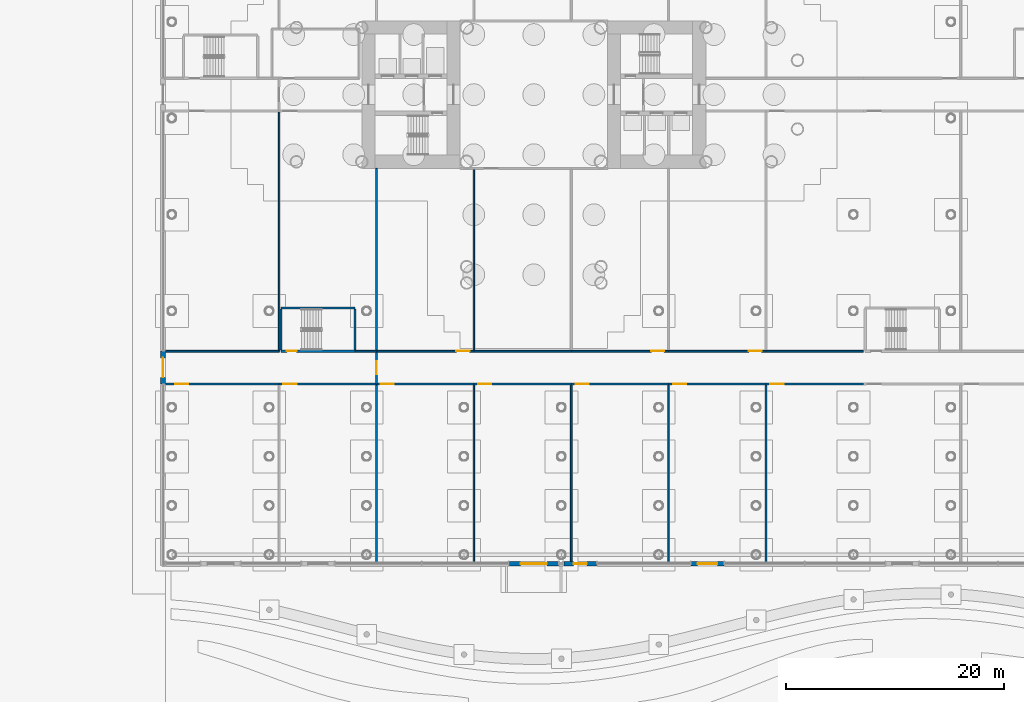
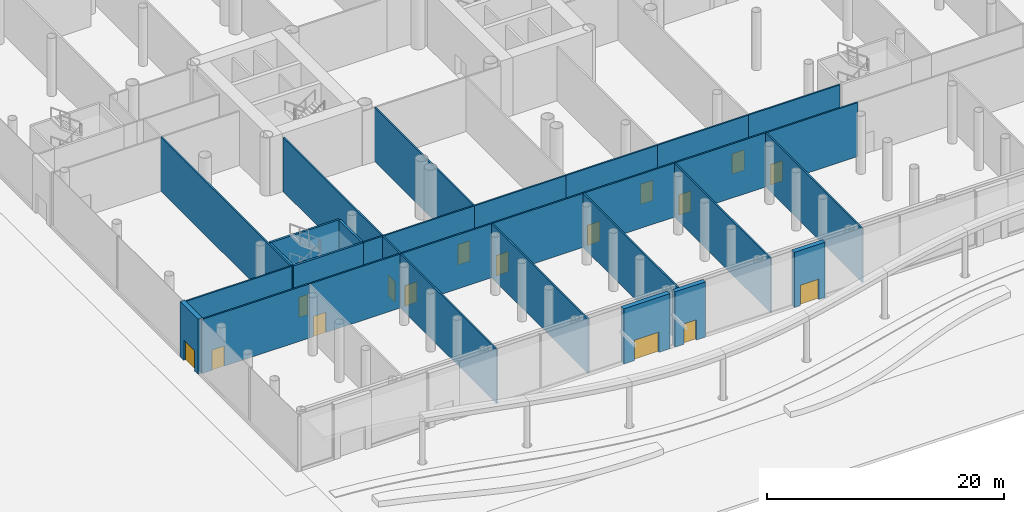
# One storey, part 28 of 75: 31 walls, 16 doors, 16 openings.
"""IFC4 building model written with IfcOpenShell, lengths in metres."""

from ifc_helpers import new_model, si_unit, direction, frame, frame_2d, origin, place, context, subcontext, project, spatial, rectangle, extrude, material, layer, layer_set, type_object, element, fill, save


model = new_model("IFC4")

# Units and contexts
model_context = context("Model", 3, precision=1e-05, world=origin(), true_north=direction((0.0, 1.0)))
body_context = subcontext(model_context, "Body", "Model", "MODEL_VIEW")
ifc_project = project(units=[si_unit("LENGTHUNIT", "METRE"), si_unit("AREAUNIT", "SQUARE_METRE"), si_unit("VOLUMEUNIT", "CUBIC_METRE"), si_unit("PLANEANGLEUNIT", "RADIAN"), si_unit("MASSUNIT", "GRAM", prefix="KILO")], contexts=[model_context])

# Site, building, storey
site_placement = place(None, origin())
site = spatial("IfcSite", under=ifc_project, at=site_placement, CompositionType="ELEMENT")
building_placement = place(site_placement, origin())
building = spatial("IfcBuilding", under=site, at=building_placement, Name="Ipe Terrace Towers", CompositionType="ELEMENT")
storey_placement = place(building_placement, origin())
storey = spatial("IfcBuildingStorey", under=building, at=storey_placement, Name="L00", CompositionType="ELEMENT", Elevation=0.0)

# Wall, opening, door
ifc_material_1 = material(Name="Gypsum board partition", Category="plasterboard")
ifc_layer_1 = layer(ifc_material_1, 0.14990234375)
ifc_layer_set_1 = layer_set([ifc_layer_1], Name="Gypsum board partition 150 mm")
wall_type_1 = type_object("IfcWallType", Name="Gypsum board partition 150 mm", PredefinedType="PARTITIONING", material=ifc_layer_set_1)
wall_1_placement = place(storey_placement, frame((-69.85009765625, -26.5, 0.0), z_axis=(0.0, 0.0, 1.0), x_axis=(1.0, 0.0, 0.0)))
wall_1 = element("IfcWall", 1, at=wall_1_placement, inside=storey, type_object=wall_type_1, Name="Gypsum board partition T1 L00 pd-r1-w4", PredefinedType="PARTITIONING", context=body_context, shape_type="SweptSolid", body=[
    extrude(rectangle(XDim=10.52001953125, YDim=0.14990234375, at=frame_2d((5.260009765625, 0.0))), origin(), (0.0, 0.0, 1.0), 5.580078125),
])
opening_1_placement = place(wall_1_placement, frame((1.0, 0.0, 0.0)))
opening_1 = element("IfcOpeningElement", 2, at=opening_1_placement, cuts=wall_1, Name="Opening PD-L00-r1", PredefinedType="OPENING", context=body_context, shape_type="SweptSolid", body=[
    extrude(rectangle(XDim=1.199951171875, YDim=2.10009765625, at=frame_2d((0.60009765625, 1.050048828125))), frame((0.0, 0.0849609375, 0.0), z_axis=(0.0, -1.0, 0.0), x_axis=(1.0, 0.0, 0.0)), (0.0, 0.0, 1.0), 0.169921875),
])
ifc_material_2 = material(Name="Fire-rated timber door leaf", Category="wood")
door_type_1 = type_object("IfcDoorType", Name="Lounge door 1200 x 2100 FD30S", OperationType="NOTDEFINED", PredefinedType="DOOR", material=ifc_material_2)
door_1_placement = place(opening_1_placement, origin())
door_1 = element("IfcDoor", 3, at=door_1_placement, inside=storey, type_object=door_type_1, Name="Lounge door PD-L00-r1", OperationType="SINGLE_SWING_RIGHT", OverallHeight=2.10009765625, OverallWidth=1.199951171875, PredefinedType="DOOR", context=body_context, shape_type="SweptSolid", body=[
    extrude(rectangle(XDim=1.199951171875, YDim=2.10009765625, at=frame_2d((0.60009765625, 1.050048828125))), frame((0.0, 0.02490234375, 0.0), z_axis=(0.0, -1.0, 0.0), x_axis=(1.0, 0.0, 0.0)), (0.0, 0.0, 1.0), 0.050048828125),
])
fill(opening_1, door_1)

# Walls
wall_2_placement = place(storey_placement, frame((-59.330078125, -23.5, 0.0), z_axis=(0.0, 0.0, 1.0), x_axis=(-1.0, 0.0, 0.0)))
element("IfcWall", 4, at=wall_2_placement, inside=storey, type_object=wall_type_1, Name="Gypsum board partition T1 L00 pd-r2-w7", PredefinedType="PARTITIONING", context=body_context, shape_type="SweptSolid", body=[
    extrude(rectangle(XDim=10.52001953125, YDim=0.14990234375, at=frame_2d((5.260009765625, 0.0))), origin(), (0.0, 0.0, 1.0), 5.580078125),
])
wall_3_placement = place(storey_placement, frame((-59.330078125, -1.5, 0.0), z_axis=(0.0, 0.0, 1.0), x_axis=(0.0, -1.0, 0.0)))
element("IfcWall", 5, at=wall_3_placement, inside=storey, type_object=wall_type_1, Name="Gypsum board partition T1 L00 pd-r2-r5-w8", PredefinedType="PARTITIONING", context=body_context, shape_type="SweptSolid", body=[
    extrude(rectangle(XDim=22.0, YDim=0.14990234375, at=frame_2d((11.0, 0.0))), origin(), (0.0, 0.0, 1.0), 5.580078125),
])

# Wall, opening, door
wall_4_placement = place(storey_placement, frame((-59.330078125, -26.5, 0.0), z_axis=(0.0, 0.0, 1.0), x_axis=(1.0, 0.0, 0.0)))
wall_4 = element("IfcWall", 6, at=wall_4_placement, inside=storey, type_object=wall_type_1, Name="Gypsum board partition T1 L00 pd-r4-w11", PredefinedType="PARTITIONING", context=body_context, shape_type="SweptSolid", body=[
    extrude(rectangle(XDim=8.920166015625, YDim=0.14990234375, at=frame_2d((4.4599609375, 0.0))), origin(), (0.0, 0.0, 1.0), 5.580078125),
])
opening_2_placement = place(wall_4_placement, frame((0.39990234375, 0.0, 0.0)))
opening_2 = element("IfcOpeningElement", 7, at=opening_2_placement, cuts=wall_4, Name="Opening PD-L00-r4", PredefinedType="OPENING", context=body_context, shape_type="SweptSolid", body=[
    extrude(rectangle(XDim=1.199951171875, YDim=2.10009765625, at=frame_2d((0.60009765625, 1.050048828125))), frame((0.0, 0.0849609375, 0.0), z_axis=(0.0, -1.0, 0.0), x_axis=(1.0, 0.0, 0.0)), (0.0, 0.0, 1.0), 0.169921875),
])
door_2_placement = place(opening_2_placement, origin())
door_2 = element("IfcDoor", 8, at=door_2_placement, inside=storey, type_object=door_type_1, Name="Lounge door PD-L00-r4", OperationType="SINGLE_SWING_RIGHT", OverallHeight=2.10009765625, OverallWidth=1.199951171875, PredefinedType="DOOR", context=body_context, shape_type="SweptSolid", body=[
    extrude(rectangle(XDim=1.199951171875, YDim=2.10009765625, at=frame_2d((0.60009765625, 1.050048828125))), frame((0.0, 0.02490234375, 0.0), z_axis=(0.0, -1.0, 0.0), x_axis=(1.0, 0.0, 0.0)), (0.0, 0.0, 1.0), 0.050048828125),
])
fill(opening_2, door_2)

# Walls
wall_5_placement = place(storey_placement, frame((-50.409912109375, -26.5, 0.0), z_axis=(0.0, 0.0, 1.0), x_axis=(0.0, -1.0, 0.0)))
element("IfcWall", 9, at=wall_5_placement, inside=storey, type_object=wall_type_1, Name="Gypsum board partition T1 L00 pd-r4-r8-w12", PredefinedType="PARTITIONING", context=body_context, shape_type="SweptSolid", body=[
    extrude(rectangle(XDim=16.35009765625, YDim=0.14990234375, at=frame_2d((8.175048828125, 0.0))), origin(), (0.0, 0.0, 1.0), 5.580078125),
])
wall_6_placement = place(storey_placement, frame((-50.409912109375, -23.5, 0.0), z_axis=(0.0, 0.0, 1.0), x_axis=(-1.0, 0.0, 0.0)))
element("IfcWall", 10, at=wall_6_placement, inside=storey, type_object=wall_type_1, Name="Gypsum board partition T1 L00 pd-r5-w14", PredefinedType="PARTITIONING", context=body_context, shape_type="SweptSolid", body=[
    extrude(rectangle(XDim=1.960205078125, YDim=0.14990234375, at=frame_2d((0.97998046875, 0.0))), origin(), (0.0, 0.0, 1.0), 5.580078125),
])
wall_7_placement = place(storey_placement, frame((-50.409912109375, -6.75, 0.0), z_axis=(0.0, 0.0, 1.0), x_axis=(0.0, -1.0, 0.0)))
element("IfcWall", 11, at=wall_7_placement, inside=storey, type_object=wall_type_1, Name="Gypsum board partition T1 L00 pd-r5-r9-w15", PredefinedType="PARTITIONING", context=body_context, shape_type="SweptSolid", body=[
    extrude(rectangle(XDim=16.75, YDim=0.14990234375, at=frame_2d((8.375, 0.0))), origin(), (0.0, 0.0, 1.0), 5.580078125),
])

# Wall, opening, door
wall_8_placement = place(storey_placement, frame((-50.409912109375, -26.5, 0.0), z_axis=(0.0, 0.0, 1.0), x_axis=(1.0, 0.0, 0.0)))
wall_8 = element("IfcWall", 12, at=wall_8_placement, inside=storey, type_object=wall_type_1, Name="Gypsum board partition T1 L00 pd-r8-w18", PredefinedType="PARTITIONING", context=body_context, shape_type="SweptSolid", body=[
    extrude(rectangle(XDim=8.919921875, YDim=0.14990234375, at=frame_2d((4.4599609375, 0.0))), origin(), (0.0, 0.0, 1.0), 5.580078125),
])
opening_3_placement = place(wall_8_placement, frame((0.39990234375, 0.0, 0.0)))
opening_3 = element("IfcOpeningElement", 13, at=opening_3_placement, cuts=wall_8, Name="Opening PD-L00-r8", PredefinedType="OPENING", context=body_context, shape_type="SweptSolid", body=[
    extrude(rectangle(XDim=1.199951171875, YDim=2.10009765625, at=frame_2d((0.60009765625, 1.050048828125))), frame((0.0, 0.0849609375, 0.0), z_axis=(0.0, -1.0, 0.0), x_axis=(1.0, 0.0, 0.0)), (0.0, 0.0, 1.0), 0.169921875),
])
door_3_placement = place(opening_3_placement, origin())
door_3 = element("IfcDoor", 14, at=door_3_placement, inside=storey, type_object=door_type_1, Name="Lounge door PD-L00-r8", OperationType="SINGLE_SWING_RIGHT", OverallHeight=2.10009765625, OverallWidth=1.199951171875, PredefinedType="DOOR", context=body_context, shape_type="SweptSolid", body=[
    extrude(rectangle(XDim=1.199951171875, YDim=2.10009765625, at=frame_2d((0.60009765625, 1.050048828125))), frame((0.0, 0.02490234375, 0.0), z_axis=(0.0, -1.0, 0.0), x_axis=(1.0, 0.0, 0.0)), (0.0, 0.0, 1.0), 0.050048828125),
])
fill(opening_3, door_3)

wall_9_placement = place(storey_placement, frame((-41.489990234375, -23.5, 0.0), z_axis=(0.0, 0.0, 1.0), x_axis=(-1.0, 0.0, 0.0)))
wall_9 = element("IfcWall", 15, at=wall_9_placement, inside=storey, type_object=wall_type_1, Name="Gypsum board partition T1 L00 pd-r9-w20", PredefinedType="PARTITIONING", context=body_context, shape_type="SweptSolid", body=[
    extrude(rectangle(XDim=8.919921875, YDim=0.14990234375, at=frame_2d((4.4599609375, 0.0))), origin(), (0.0, 0.0, 1.0), 5.580078125),
])
opening_4_placement = place(wall_9_placement, frame((0.39990234375, 0.0, 0.0)))
opening_4 = element("IfcOpeningElement", 16, at=opening_4_placement, cuts=wall_9, Name="Opening PD-L00-r9", PredefinedType="OPENING", context=body_context, shape_type="SweptSolid", body=[
    extrude(rectangle(XDim=1.199951171875, YDim=2.10009765625, at=frame_2d((0.60009765625, 1.050048828125))), frame((0.0, 0.0849609375, 0.0), z_axis=(0.0, -1.0, 0.0), x_axis=(1.0, 0.0, 0.0)), (0.0, 0.0, 1.0), 0.169921875),
])
door_4_placement = place(opening_4_placement, origin())
door_4 = element("IfcDoor", 17, at=door_4_placement, inside=storey, type_object=door_type_1, Name="Lounge door PD-L00-r9", OperationType="SINGLE_SWING_RIGHT", OverallHeight=2.10009765625, OverallWidth=1.199951171875, PredefinedType="DOOR", context=body_context, shape_type="SweptSolid", body=[
    extrude(rectangle(XDim=1.199951171875, YDim=2.10009765625, at=frame_2d((0.60009765625, 1.050048828125))), frame((0.0, 0.02490234375, 0.0), z_axis=(0.0, -1.0, 0.0), x_axis=(1.0, 0.0, 0.0)), (0.0, 0.0, 1.0), 0.050048828125),
])
fill(opening_4, door_4)

wall_10_placement = place(storey_placement, frame((-41.489990234375, -26.5, 0.0), z_axis=(0.0, 0.0, 1.0), x_axis=(1.0, 0.0, 0.0)))
wall_10 = element("IfcWall", 18, at=wall_10_placement, inside=storey, type_object=wall_type_1, Name="Gypsum board partition T1 L00 pd-r12-w28", PredefinedType="PARTITIONING", context=body_context, shape_type="SweptSolid", body=[
    extrude(rectangle(XDim=8.919921875, YDim=0.14990234375, at=frame_2d((4.4599609375, 0.0))), origin(), (0.0, 0.0, 1.0), 5.580078125),
])
opening_5_placement = place(wall_10_placement, frame((0.39990234375, 0.0, 0.0)))
opening_5 = element("IfcOpeningElement", 19, at=opening_5_placement, cuts=wall_10, Name="Opening PD-L00-r12", PredefinedType="OPENING", context=body_context, shape_type="SweptSolid", body=[
    extrude(rectangle(XDim=1.199951171875, YDim=2.10009765625, at=frame_2d((0.60009765625, 1.050048828125))), frame((0.0, 0.0849609375, 0.0), z_axis=(0.0, -1.0, 0.0), x_axis=(1.0, 0.0, 0.0)), (0.0, 0.0, 1.0), 0.169921875),
])
door_5_placement = place(opening_5_placement, origin())
door_5 = element("IfcDoor", 20, at=door_5_placement, inside=storey, type_object=door_type_1, Name="Lounge door PD-L00-r12", OperationType="SINGLE_SWING_RIGHT", OverallHeight=2.10009765625, OverallWidth=1.199951171875, PredefinedType="DOOR", context=body_context, shape_type="SweptSolid", body=[
    extrude(rectangle(XDim=1.199951171875, YDim=2.10009765625, at=frame_2d((0.60009765625, 1.050048828125))), frame((0.0, 0.02490234375, 0.0), z_axis=(0.0, -1.0, 0.0), x_axis=(1.0, 0.0, 0.0)), (0.0, 0.0, 1.0), 0.050048828125),
])
fill(opening_5, door_5)

# Walls
for number, where, z_axis, x_axis, name in (
    (21, (-41.489990234375, -42.85009765625, 0.0), (0.0, 0.0, 1.0), (0.0, 1.0, 0.0), "Gypsum board partition T1 L00 pd-r12-r8-w29"),
    (22, (-32.570068359375, -26.5, 0.0), (0.0, 0.0, 1.0), (0.0, -1.0, 0.0), "Gypsum board partition T1 L00 pd-r12-r16-w30"),
):
    element("IfcWall", number, at=place(storey_placement, frame(where, z_axis=z_axis, x_axis=x_axis)), inside=storey, type_object=wall_type_1, Name=name, PredefinedType="PARTITIONING", context=body_context, shape_type="SweptSolid", body=[
        extrude(rectangle(XDim=16.35009765625, YDim=0.14990234375, at=frame_2d((8.175048828125, 0.0))), origin(), (0.0, 0.0, 1.0), 5.580078125),
    ])
wall_11_placement = place(storey_placement, frame((-32.570068359375, -23.5, 0.0), z_axis=(0.0, 0.0, 1.0), x_axis=(-1.0, 0.0, 0.0)))
element("IfcWall", 23, at=wall_11_placement, inside=storey, type_object=wall_type_1, Name="Gypsum board partition T1 L00 pd-r13-w32", PredefinedType="PARTITIONING", context=body_context, shape_type="SweptSolid", body=[
    extrude(rectangle(XDim=8.919921875, YDim=0.14990234375, at=frame_2d((4.4599609375, 0.0))), origin(), (0.0, 0.0, 1.0), 5.580078125),
])
wall_12_placement = place(storey_placement, frame((-41.489990234375, -23.5, 0.0), z_axis=(0.0, 0.0, 1.0), x_axis=(0.0, 1.0, 0.0)))
element("IfcWall", 24, at=wall_12_placement, inside=storey, type_object=wall_type_1, Name="Gypsum board partition T1 L00 pd-r13-r9-w33", PredefinedType="PARTITIONING", context=body_context, shape_type="SweptSolid", body=[
    extrude(rectangle(XDim=16.75, YDim=0.14990234375, at=frame_2d((8.375, 0.0))), origin(), (0.0, 0.0, 1.0), 5.580078125),
])

# Wall, opening, door
wall_13_placement = place(storey_placement, frame((-32.570068359375, -26.5, 0.0), z_axis=(0.0, 0.0, 1.0), x_axis=(1.0, 0.0, 0.0)))
wall_13 = element("IfcWall", 25, at=wall_13_placement, inside=storey, type_object=wall_type_1, Name="Gypsum board partition T1 L00 pd-r16-w40", PredefinedType="PARTITIONING", context=body_context, shape_type="SweptSolid", body=[
    extrude(rectangle(XDim=8.920166015625, YDim=0.14990234375, at=frame_2d((4.4599609375, 0.0))), origin(), (0.0, 0.0, 1.0), 5.580078125),
])
opening_6_placement = place(wall_13_placement, frame((0.39990234375, 0.0, 0.0)))
opening_6 = element("IfcOpeningElement", 26, at=opening_6_placement, cuts=wall_13, Name="Opening PD-L00-r16", PredefinedType="OPENING", context=body_context, shape_type="SweptSolid", body=[
    extrude(rectangle(XDim=1.199951171875, YDim=2.10009765625, at=frame_2d((0.60009765625, 1.050048828125))), frame((0.0, 0.0849609375, 0.0), z_axis=(0.0, -1.0, 0.0), x_axis=(1.0, 0.0, 0.0)), (0.0, 0.0, 1.0), 0.169921875),
])
door_6_placement = place(opening_6_placement, origin())
door_6 = element("IfcDoor", 27, at=door_6_placement, inside=storey, type_object=door_type_1, Name="Lounge door PD-L00-r16", OperationType="SINGLE_SWING_RIGHT", OverallHeight=2.10009765625, OverallWidth=1.199951171875, PredefinedType="DOOR", context=body_context, shape_type="SweptSolid", body=[
    extrude(rectangle(XDim=1.199951171875, YDim=2.10009765625, at=frame_2d((0.60009765625, 1.050048828125))), frame((0.0, 0.02490234375, 0.0), z_axis=(0.0, -1.0, 0.0), x_axis=(1.0, 0.0, 0.0)), (0.0, 0.0, 1.0), 0.050048828125),
])
fill(opening_6, door_6)

# Wall
wall_14_placement = place(storey_placement, frame((-23.64990234375, -26.5, 0.0), z_axis=(0.0, 0.0, 1.0), x_axis=(0.0, -1.0, 0.0)))
element("IfcWall", 28, at=wall_14_placement, inside=storey, type_object=wall_type_1, Name="Gypsum board partition T1 L00 pd-r16-r20-w41", PredefinedType="PARTITIONING", context=body_context, shape_type="SweptSolid", body=[
    extrude(rectangle(XDim=16.35009765625, YDim=0.14990234375, at=frame_2d((8.175048828125, 0.0))), origin(), (0.0, 0.0, 1.0), 5.580078125),
])

# Wall, opening, door
wall_15_placement = place(storey_placement, frame((-23.64990234375, -23.5, 0.0), z_axis=(0.0, 0.0, 1.0), x_axis=(-1.0, 0.0, 0.0)))
wall_15 = element("IfcWall", 29, at=wall_15_placement, inside=storey, type_object=wall_type_1, Name="Gypsum board partition T1 L00 pd-r17-w43", PredefinedType="PARTITIONING", context=body_context, shape_type="SweptSolid", body=[
    extrude(rectangle(XDim=8.920166015625, YDim=0.14990234375, at=frame_2d((4.4599609375, 0.0))), origin(), (0.0, 0.0, 1.0), 5.580078125),
])
opening_7_placement = place(wall_15_placement, frame((0.39990234375, 0.0, 0.0)))
opening_7 = element("IfcOpeningElement", 30, at=opening_7_placement, cuts=wall_15, Name="Opening PD-L00-r17", PredefinedType="OPENING", context=body_context, shape_type="SweptSolid", body=[
    extrude(rectangle(XDim=1.199951171875, YDim=2.10009765625, at=frame_2d((0.60009765625, 1.050048828125))), frame((0.0, 0.0849609375, 0.0), z_axis=(0.0, -1.0, 0.0), x_axis=(1.0, 0.0, 0.0)), (0.0, 0.0, 1.0), 0.169921875),
])
door_7_placement = place(opening_7_placement, origin())
door_7 = element("IfcDoor", 31, at=door_7_placement, inside=storey, type_object=door_type_1, Name="Lounge door PD-L00-r17", OperationType="SINGLE_SWING_RIGHT", OverallHeight=2.10009765625, OverallWidth=1.199951171875, PredefinedType="DOOR", context=body_context, shape_type="SweptSolid", body=[
    extrude(rectangle(XDim=1.199951171875, YDim=2.10009765625, at=frame_2d((0.60009765625, 1.050048828125))), frame((0.0, 0.02490234375, 0.0), z_axis=(0.0, -1.0, 0.0), x_axis=(1.0, 0.0, 0.0)), (0.0, 0.0, 1.0), 0.050048828125),
])
fill(opening_7, door_7)

wall_16_placement = place(storey_placement, frame((-23.64990234375, -26.5, 0.0), z_axis=(0.0, 0.0, 1.0), x_axis=(1.0, 0.0, 0.0)))
wall_16 = element("IfcWall", 32, at=wall_16_placement, inside=storey, type_object=wall_type_1, Name="Gypsum board partition T1 L00 pd-r20-w50", PredefinedType="PARTITIONING", context=body_context, shape_type="SweptSolid", body=[
    extrude(rectangle(XDim=8.919921875, YDim=0.14990234375, at=frame_2d((4.4599609375, 0.0))), origin(), (0.0, 0.0, 1.0), 5.580078125),
])
opening_8_placement = place(wall_16_placement, frame((0.39990234375, 0.0, 0.0)))
opening_8 = element("IfcOpeningElement", 33, at=opening_8_placement, cuts=wall_16, Name="Opening PD-L00-r20", PredefinedType="OPENING", context=body_context, shape_type="SweptSolid", body=[
    extrude(rectangle(XDim=1.199951171875, YDim=2.10009765625, at=frame_2d((0.60009765625, 1.050048828125))), frame((0.0, 0.0849609375, 0.0), z_axis=(0.0, -1.0, 0.0), x_axis=(1.0, 0.0, 0.0)), (0.0, 0.0, 1.0), 0.169921875),
])
door_8_placement = place(opening_8_placement, origin())
door_8 = element("IfcDoor", 34, at=door_8_placement, inside=storey, type_object=door_type_1, Name="Lounge door PD-L00-r20", OperationType="SINGLE_SWING_RIGHT", OverallHeight=2.10009765625, OverallWidth=1.199951171875, PredefinedType="DOOR", context=body_context, shape_type="SweptSolid", body=[
    extrude(rectangle(XDim=1.199951171875, YDim=2.10009765625, at=frame_2d((0.60009765625, 1.050048828125))), frame((0.0, 0.02490234375, 0.0), z_axis=(0.0, -1.0, 0.0), x_axis=(1.0, 0.0, 0.0)), (0.0, 0.0, 1.0), 0.050048828125),
])
fill(opening_8, door_8)

# Wall
wall_17_placement = place(storey_placement, frame((-14.72998046875, -26.5, 0.0), z_axis=(0.0, 0.0, 1.0), x_axis=(0.0, -1.0, 0.0)))
element("IfcWall", 35, at=wall_17_placement, inside=storey, type_object=wall_type_1, Name="Gypsum board partition T1 L00 pd-r20-r24-w51", PredefinedType="PARTITIONING", context=body_context, shape_type="SweptSolid", body=[
    extrude(rectangle(XDim=16.35009765625, YDim=0.14990234375, at=frame_2d((8.175048828125, 0.0))), origin(), (0.0, 0.0, 1.0), 5.580078125),
])

# Wall, opening, door
wall_18_placement = place(storey_placement, frame((-14.72998046875, -23.5, 0.0), z_axis=(0.0, 0.0, 1.0), x_axis=(-1.0, 0.0, 0.0)))
wall_18 = element("IfcWall", 36, at=wall_18_placement, inside=storey, type_object=wall_type_1, Name="Gypsum board partition T1 L00 pd-r22-w55", PredefinedType="PARTITIONING", context=body_context, shape_type="SweptSolid", body=[
    extrude(rectangle(XDim=8.919921875, YDim=0.14990234375, at=frame_2d((4.4599609375, 0.0))), origin(), (0.0, 0.0, 1.0), 5.580078125),
])
opening_9_placement = place(wall_18_placement, frame((0.39990234375, 0.0, 0.0)))
opening_9 = element("IfcOpeningElement", 37, at=opening_9_placement, cuts=wall_18, Name="Opening PD-L00-r22", PredefinedType="OPENING", context=body_context, shape_type="SweptSolid", body=[
    extrude(rectangle(XDim=1.199951171875, YDim=2.10009765625, at=frame_2d((0.60009765625, 1.050048828125))), frame((0.0, 0.0849609375, 0.0), z_axis=(0.0, -1.0, 0.0), x_axis=(1.0, 0.0, 0.0)), (0.0, 0.0, 1.0), 0.169921875),
])
door_9_placement = place(opening_9_placement, origin())
door_9 = element("IfcDoor", 38, at=door_9_placement, inside=storey, type_object=door_type_1, Name="Lounge door PD-L00-r22", OperationType="SINGLE_SWING_RIGHT", OverallHeight=2.10009765625, OverallWidth=1.199951171875, PredefinedType="DOOR", context=body_context, shape_type="SweptSolid", body=[
    extrude(rectangle(XDim=1.199951171875, YDim=2.10009765625, at=frame_2d((0.60009765625, 1.050048828125))), frame((0.0, 0.02490234375, 0.0), z_axis=(0.0, -1.0, 0.0), x_axis=(1.0, 0.0, 0.0)), (0.0, 0.0, 1.0), 0.050048828125),
])
fill(opening_9, door_9)

wall_19_placement = place(storey_placement, frame((-14.72998046875, -26.5, 0.0), z_axis=(0.0, 0.0, 1.0), x_axis=(1.0, 0.0, 0.0)))
wall_19 = element("IfcWall", 39, at=wall_19_placement, inside=storey, type_object=wall_type_1, Name="Gypsum board partition T1 L00 pd-r24-w60", PredefinedType="PARTITIONING", context=body_context, shape_type="SweptSolid", body=[
    extrude(rectangle(XDim=8.919921875, YDim=0.14990234375, at=frame_2d((4.4599609375, 0.0))), origin(), (0.0, 0.0, 1.0), 5.580078125),
])
opening_10_placement = place(wall_19_placement, frame((0.39990234375, 0.0, 0.0)))
opening_10 = element("IfcOpeningElement", 40, at=opening_10_placement, cuts=wall_19, Name="Opening PD-L00-r24", PredefinedType="OPENING", context=body_context, shape_type="SweptSolid", body=[
    extrude(rectangle(XDim=1.199951171875, YDim=2.10009765625, at=frame_2d((0.60009765625, 1.050048828125))), frame((0.0, 0.0849609375, 0.0), z_axis=(0.0, -1.0, 0.0), x_axis=(1.0, 0.0, 0.0)), (0.0, 0.0, 1.0), 0.169921875),
])
door_10_placement = place(opening_10_placement, origin())
door_10 = element("IfcDoor", 41, at=door_10_placement, inside=storey, type_object=door_type_1, Name="Lounge door PD-L00-r24", OperationType="SINGLE_SWING_RIGHT", OverallHeight=2.10009765625, OverallWidth=1.199951171875, PredefinedType="DOOR", context=body_context, shape_type="SweptSolid", body=[
    extrude(rectangle(XDim=1.199951171875, YDim=2.10009765625, at=frame_2d((0.60009765625, 1.050048828125))), frame((0.0, 0.02490234375, 0.0), z_axis=(0.0, -1.0, 0.0), x_axis=(1.0, 0.0, 0.0)), (0.0, 0.0, 1.0), 0.050048828125),
])
fill(opening_10, door_10)

# Wall
wall_20_placement = place(storey_placement, frame((-5.81005859375, -23.5, 0.0), z_axis=(0.0, 0.0, 1.0), x_axis=(-1.0, 0.0, 0.0)))
element("IfcWall", 42, at=wall_20_placement, inside=storey, type_object=wall_type_1, Name="Gypsum board partition T1 L00 pd-r25-w62", PredefinedType="PARTITIONING", context=body_context, shape_type="SweptSolid", body=[
    extrude(rectangle(XDim=8.919921875, YDim=0.14990234375, at=frame_2d((4.4599609375, 0.0))), origin(), (0.0, 0.0, 1.0), 5.580078125),
])

# Wall, opening, door
wall_21_placement = place(storey_placement, frame((-50.409912109375, -26.5, 0.0), z_axis=(0.0, 0.0, 1.0), x_axis=(0.0, 1.0, 0.0)))
wall_21 = element("IfcWall", 43, at=wall_21_placement, inside=storey, type_object=wall_type_1, Name="Gypsum board partition T1 L00 pd-xp4", PredefinedType="PARTITIONING", context=body_context, shape_type="SweptSolid", body=[
    extrude(rectangle(XDim=3.0, YDim=0.14990234375, at=frame_2d((1.5, 0.0))), origin(), (0.0, 0.0, 1.0), 5.580078125),
])
opening_11_placement = place(wall_21_placement, frame((0.89990234375, 0.0, 0.0)))
opening_11 = element("IfcOpeningElement", 44, at=opening_11_placement, cuts=wall_21, Name="Opening PD-L00-XP4", PredefinedType="OPENING", context=body_context, shape_type="SweptSolid", body=[
    extrude(rectangle(XDim=1.199951171875, YDim=2.10009765625, at=frame_2d((0.60009765625, 1.050048828125))), frame((0.0, 0.0849609375, 0.0), z_axis=(0.0, -1.0, 0.0), x_axis=(1.0, 0.0, 0.0)), (0.0, 0.0, 1.0), 0.169921875),
])
ifc_material_3 = material(Name="Fire-rated timber door leaf", Category="wood")
door_type_2 = type_object("IfcDoorType", Name="Fire door 1200 x 2100 FD60", OperationType="NOTDEFINED", PredefinedType="DOOR", material=ifc_material_3)
door_11_placement = place(opening_11_placement, origin())
door_11 = element("IfcDoor", 45, at=door_11_placement, inside=storey, type_object=door_type_2, Name="Fire door PD-L00-XP4", OperationType="SINGLE_SWING_LEFT", OverallHeight=2.10009765625, OverallWidth=1.199951171875, PredefinedType="DOOR", context=body_context, shape_type="SweptSolid", body=[
    extrude(rectangle(XDim=1.199951171875, YDim=2.10009765625, at=frame_2d((0.60009765625, 1.050048828125))), frame((0.0, 0.02490234375, 0.0), z_axis=(0.0, -1.0, 0.0), x_axis=(1.0, 0.0, 0.0)), (0.0, 0.0, 1.0), 0.050048828125),
])
fill(opening_11, door_11)

ifc_material_4 = material(Name="Concrete C40/50 with buff precast cladding", Category="concrete")
ifc_layer_2 = layer(ifc_material_4, 0.43994140625)
ifc_layer_set_2 = layer_set([ifc_layer_2], Name="PODIUM CLADDING WALL 440")
wall_type_2 = type_object("IfcWallType", Name="PODIUM CLADDING WALL 440", PredefinedType="STANDARD", material=ifc_layer_set_2)
wall_22_placement = place(storey_placement, frame((-69.969970703125, -23.5, 0.0), z_axis=(0.0, 0.0, 1.0), x_axis=(0.0, -1.0, 0.0)))
wall_22 = element("IfcWall", 46, at=wall_22_placement, inside=storey, type_object=wall_type_2, Name="POD-W-L00-02f wall", PredefinedType="STANDARD", context=body_context, shape_type="SweptSolid", body=[
    extrude(rectangle(XDim=3.0, YDim=0.43994140625, at=frame_2d((1.5, 0.0))), origin(), (0.0, 0.0, 1.0), 5.699951171875),
])
opening_12_placement = place(wall_22_placement, frame((0.60009765625, 0.0, 0.0)))
opening_12 = element("IfcOpeningElement", 47, at=opening_12_placement, cuts=wall_22, Name="Opening POD-D-L00-01", PredefinedType="OPENING", context=body_context, shape_type="SweptSolid", body=[
    extrude(rectangle(XDim=1.800048828125, YDim=2.10009765625, at=frame_2d((0.89990234375, 1.050048828125))), frame((0.0, 0.22998046875, 0.0), z_axis=(0.0, -1.0, 0.0), x_axis=(1.0, 0.0, 0.0)), (0.0, 0.0, 1.0), 0.4599609375),
])
ifc_material_5 = material(Name="Steel S235 framed glazed exit door", Category="steel")
door_type_3 = type_object("IfcDoorType", Name="EXIT DOOR 1800 DOUBLE", OperationType="DOUBLE_DOOR_DOUBLE_SWING", PredefinedType="DOOR", material=ifc_material_5)
door_12_placement = place(opening_12_placement, origin())
door_12 = element("IfcDoor", 48, at=door_12_placement, inside=storey, type_object=door_type_3, Name="DX1 exit door", OperationType="DOUBLE_DOOR_DOUBLE_SWING", OverallHeight=2.10009765625, OverallWidth=1.800048828125, PredefinedType="DOOR", context=body_context, shape_type="SweptSolid", body=[
    extrude(rectangle(XDim=1.800048828125, YDim=2.10009765625, at=frame_2d((0.89990234375, 1.050048828125))), frame((0.0, 0.02490234375, 0.0), z_axis=(0.0, -1.0, 0.0), x_axis=(1.0, 0.0, 0.0)), (0.0, 0.0, 1.0), 0.050048828125),
])
fill(opening_12, door_12)

wall_23_placement = place(storey_placement, frame((-38.25, -42.969970703125, 0.0), z_axis=(0.0, 0.0, 1.0), x_axis=(1.0, 0.0, 0.0)))
wall_23 = element("IfcWall", 49, at=wall_23_placement, inside=storey, type_object=wall_type_2, Name="POD-W-L00-03f wall", PredefinedType="STANDARD", context=body_context, shape_type="SweptSolid", body=[
    extrude(rectangle(XDim=4.5, YDim=0.43994140625, at=frame_2d((2.25, 0.0))), origin(), (0.0, 0.0, 1.0), 5.699951171875),
])
opening_13_placement = place(wall_23_placement, frame((1.050048828125, 0.0, 0.0)))
opening_13 = element("IfcOpeningElement", 50, at=opening_13_placement, cuts=wall_23, Name="Opening POD-D-L00-05", PredefinedType="OPENING", context=body_context, shape_type="SweptSolid", body=[
    extrude(rectangle(XDim=2.39990234375, YDim=2.10009765625, at=frame_2d((1.199951171875, 1.050048828125))), frame((0.0, 0.22998046875, 0.0), z_axis=(0.0, -1.0, 0.0), x_axis=(1.0, 0.0, 0.0)), (0.0, 0.0, 1.0), 0.4599609375),
])
ifc_material_6 = material(Name="Aluminium alloy 6063-T6 framed glazed door", Category="aluminium")
door_type_4 = type_object("IfcDoorType", Name="ENTRANCE DOOR 2400 DOUBLE", OperationType="DOUBLE_DOOR_DOUBLE_SWING", PredefinedType="DOOR", material=ifc_material_6)
door_13_placement = place(opening_13_placement, origin())
door_13 = element("IfcDoor", 51, at=door_13_placement, inside=storey, type_object=door_type_4, Name="DE1 entrance door", OperationType="DOUBLE_DOOR_DOUBLE_SWING", OverallHeight=2.10009765625, OverallWidth=2.39990234375, PredefinedType="DOOR", context=body_context, shape_type="SweptSolid", body=[
    extrude(rectangle(XDim=2.39990234375, YDim=2.10009765625, at=frame_2d((1.199951171875, 1.050048828125))), frame((0.0, 0.02490234375, 0.0), z_axis=(0.0, -1.0, 0.0), x_axis=(1.0, 0.0, 0.0)), (0.0, 0.0, 1.0), 0.050048828125),
])
fill(opening_13, door_13)

wall_24_placement = place(storey_placement, frame((-33.25, -42.969970703125, 0.0), z_axis=(0.0, 0.0, 1.0), x_axis=(1.0, 0.0, 0.0)))
wall_24 = element("IfcWall", 52, at=wall_24_placement, inside=storey, type_object=wall_type_2, Name="POD-W-L00-03h wall", PredefinedType="STANDARD", context=body_context, shape_type="SweptSolid", body=[
    extrude(rectangle(XDim=3.0, YDim=0.43994140625, at=frame_2d((1.5, 0.0))), origin(), (0.0, 0.0, 1.0), 5.699951171875),
])
opening_14_placement = place(wall_24_placement, frame((0.89990234375, 0.0, 0.0)))
opening_14 = element("IfcOpeningElement", 53, at=opening_14_placement, cuts=wall_24, Name="Opening POD-D-L00-06", PredefinedType="OPENING", context=body_context, shape_type="SweptSolid", body=[
    extrude(rectangle(XDim=1.199951171875, YDim=2.10009765625, at=frame_2d((0.60009765625, 1.050048828125))), frame((0.0, 0.22998046875, 0.0), z_axis=(0.0, -1.0, 0.0), x_axis=(1.0, 0.0, 0.0)), (0.0, 0.0, 1.0), 0.4599609375),
])
ifc_material_7 = material(Name="Aluminium alloy 6063-T6 framed glazed door", Category="aluminium")
door_type_5 = type_object("IfcDoorType", Name="ACCESSIBLE ENTRANCE DOOR 1200 x 2100", OperationType="SINGLE_SWING_LEFT", PredefinedType="DOOR", material=ifc_material_7)
door_14_placement = place(opening_14_placement, origin())
door_14 = element("IfcDoor", 54, at=door_14_placement, inside=storey, type_object=door_type_5, Name="DE2 accessible entrance door", OperationType="SINGLE_SWING_LEFT", OverallHeight=2.10009765625, OverallWidth=1.199951171875, PredefinedType="DOOR", context=body_context, shape_type="SweptSolid", body=[
    extrude(rectangle(XDim=1.199951171875, YDim=2.10009765625, at=frame_2d((0.60009765625, 1.050048828125))), frame((0.0, 0.02490234375, 0.0), z_axis=(0.0, -1.0, 0.0), x_axis=(1.0, 0.0, 0.0)), (0.0, 0.0, 1.0), 0.050048828125),
])
fill(opening_14, door_14)

wall_25_placement = place(storey_placement, frame((-21.590087890625, -42.969970703125, 0.0), z_axis=(0.0, 0.0, 1.0), x_axis=(1.0, 0.0, 0.0)))
wall_25 = element("IfcWall", 55, at=wall_25_placement, inside=storey, type_object=wall_type_2, Name="POD-W-L00-03j wall", PredefinedType="STANDARD", context=body_context, shape_type="SweptSolid", body=[
    extrude(rectangle(XDim=3.0, YDim=0.43994140625, at=frame_2d((1.5, 0.0))), origin(), (0.0, 0.0, 1.0), 5.699951171875),
])
opening_15_placement = place(wall_25_placement, frame((0.60009765625, 0.0, 0.0)))
opening_15 = element("IfcOpeningElement", 56, at=opening_15_placement, cuts=wall_25, Name="Opening POD-D-L00-02", PredefinedType="OPENING", context=body_context, shape_type="SweptSolid", body=[
    extrude(rectangle(XDim=1.800048828125, YDim=2.10009765625, at=frame_2d((0.89990234375, 1.050048828125))), frame((0.0, 0.22998046875, 0.0), z_axis=(0.0, -1.0, 0.0), x_axis=(1.0, 0.0, 0.0)), (0.0, 0.0, 1.0), 0.4599609375),
])
ifc_material_8 = material(Name="Aluminium alloy 6063-T6 framed glazed door", Category="aluminium")
door_type_6 = type_object("IfcDoorType", Name="STREET DOOR 1800 DOUBLE", OperationType="DOUBLE_DOOR_DOUBLE_SWING", PredefinedType="DOOR", material=ifc_material_8)
door_15_placement = place(opening_15_placement, origin())
door_15 = element("IfcDoor", 57, at=door_15_placement, inside=storey, type_object=door_type_6, Name="DS1 street door", OperationType="DOUBLE_DOOR_DOUBLE_SWING", OverallHeight=2.10009765625, OverallWidth=1.800048828125, PredefinedType="DOOR", context=body_context, shape_type="SweptSolid", body=[
    extrude(rectangle(XDim=1.800048828125, YDim=2.10009765625, at=frame_2d((0.89990234375, 1.050048828125))), frame((0.0, 0.02490234375, 0.0), z_axis=(0.0, -1.0, 0.0), x_axis=(1.0, 0.0, 0.0)), (0.0, 0.0, 1.0), 0.050048828125),
])
fill(opening_15, door_15)

ifc_material_9 = material(Name="Concrete C40/50", Category="concrete")
ifc_layer_3 = layer(ifc_material_9, 0.199951171875)
ifc_layer_set_3 = layer_set([ifc_layer_3], Name="RW200 PODIUM STAIR SHAFT WALL 200 C40-50")
wall_type_3 = type_object("IfcWallType", Name="RW200 PODIUM STAIR SHAFT WALL 200 C40-50", PredefinedType="SHEAR", material=ifc_layer_set_3)
wall_26_placement = place(storey_placement, frame((-59.169921875, -23.5, 0.0), z_axis=(0.0, 0.0, 1.0), x_axis=(1.0, 0.0, 0.0)))
wall_26 = element("IfcWall", 58, at=wall_26_placement, inside=storey, type_object=wall_type_3, Name="Stair shaft wall T1 L00 ps4-c", PredefinedType="SHEAR", context=body_context, shape_type="SweptSolid", body=[
    extrude(rectangle(XDim=6.7998046875, YDim=0.199951171875, at=frame_2d((3.39990234375, 0.0))), origin(), (0.0, 0.0, 1.0), 5.580078125),
])
opening_16_placement = place(wall_26_placement, frame((0.550048828125, 0.0, 0.0)))
opening_16 = element("IfcOpeningElement", 59, at=opening_16_placement, cuts=wall_26, Name="Opening PS4-SD", PredefinedType="OPENING", context=body_context, shape_type="SweptSolid", body=[
    extrude(rectangle(XDim=0.89990234375, YDim=2.10009765625, at=frame_2d((0.449951171875, 1.050048828125))), frame((0.0, 0.10986328125, 0.0), z_axis=(0.0, -1.0, 0.0), x_axis=(1.0, 0.0, 0.0)), (0.0, 0.0, 1.0), 0.219970703125),
])
ifc_material_10 = material(Name="Fire-rated timber door leaf", Category="wood")
door_type_7 = type_object("IfcDoorType", Name="Stair door 900 x 2100 FD60", OperationType="NOTDEFINED", PredefinedType="DOOR", material=ifc_material_10)
door_16_placement = place(opening_16_placement, origin())
door_16 = element("IfcDoor", 60, at=door_16_placement, inside=storey, type_object=door_type_7, Name="Stair door PS4-SD", OperationType="SINGLE_SWING_RIGHT", OverallHeight=2.10009765625, OverallWidth=0.89990234375, PredefinedType="DOOR", context=body_context, shape_type="SweptSolid", body=[
    extrude(rectangle(XDim=0.89990234375, YDim=2.10009765625, at=frame_2d((0.449951171875, 1.050048828125))), frame((0.0, 0.02490234375, 0.0), z_axis=(0.0, -1.0, 0.0), x_axis=(1.0, 0.0, 0.0)), (0.0, 0.0, 1.0), 0.050048828125),
])
fill(opening_16, door_16)

# Walls
wall_27_placement = place(storey_placement, frame((-59.169921875, -19.550048828125, 0.0), z_axis=(0.0, 0.0, 1.0), x_axis=(1.0, 0.0, 0.0)))
element("IfcWall", 61, at=wall_27_placement, inside=storey, type_object=wall_type_3, Name="Stair shaft wall T1 L00 ps4-f", PredefinedType="SHEAR", context=body_context, shape_type="SweptSolid", body=[
    extrude(rectangle(XDim=6.7998046875, YDim=0.199951171875, at=frame_2d((3.39990234375, 0.0))), origin(), (0.0, 0.0, 1.0), 5.580078125),
])
for number, where, z_axis, x_axis, name in (
    (62, (-59.169921875, -23.39990234375, 0.0), (0.0, 0.0, 1.0), (0.0, 1.0, 0.0), "Stair shaft wall T1 L00 ps4-w"),
    (63, (-52.3701171875, -23.39990234375, 0.0), (0.0, 0.0, 1.0), (0.0, 1.0, 0.0), "Stair shaft wall T1 L00 ps4-e"),
):
    element("IfcWall", number, at=place(storey_placement, frame(where, z_axis=z_axis, x_axis=x_axis)), inside=storey, type_object=wall_type_3, Name=name, PredefinedType="SHEAR", context=body_context, shape_type="SweptSolid", body=[
        extrude(rectangle(XDim=3.75, YDim=0.199951171875, at=frame_2d((1.875, 0.0))), origin(), (0.0, 0.0, 1.0), 5.580078125),
    ])

save(model, "model.ifc")
